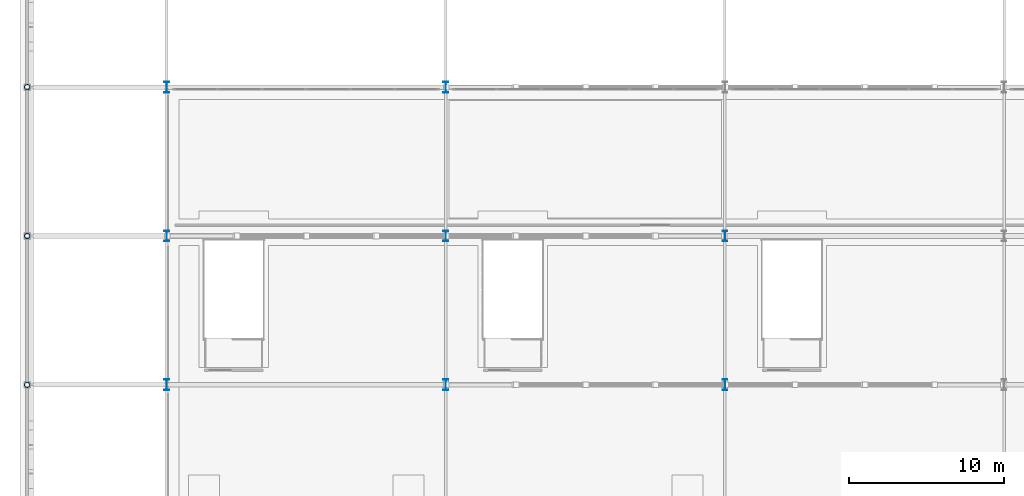
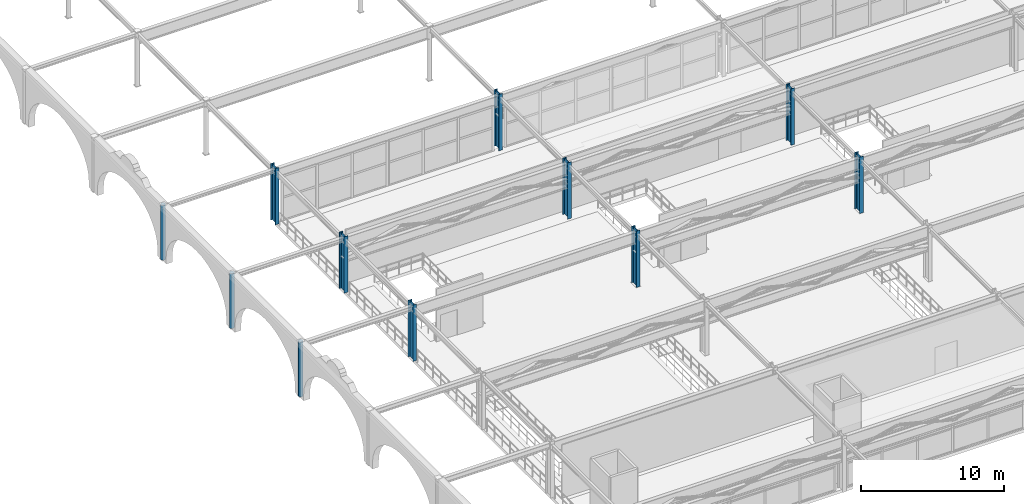
# One storey, part 9 of 125: 11 columns.
"""IFC4 building model written with IfcOpenShell, lengths in metres."""

from ifc_helpers import new_model, si_unit, direction, frame, origin, origin_2d, place, context, subcontext, project, spatial, hollow_circle, i_section, extrude, material, material_profile, profile_set, type_object, element, save


model = new_model("IFC4")

# Units and contexts
model_context = context("Model", 3, precision=1e-05, world=origin(), true_north=direction((0.0, 1.0)))
body_context = subcontext(model_context, "Body", "Model", "MODEL_VIEW")
ifc_project = project(units=[si_unit("LENGTHUNIT", "METRE"), si_unit("AREAUNIT", "SQUARE_METRE"), si_unit("VOLUMEUNIT", "CUBIC_METRE"), si_unit("PLANEANGLEUNIT", "RADIAN"), si_unit("MASSUNIT", "GRAM", prefix="KILO")], contexts=[model_context])

# Site, building, storey
site_placement = place(None, origin())
site = spatial("IfcSite", under=ifc_project, at=site_placement, CompositionType="ELEMENT")
building_placement = place(site_placement, origin())
building = spatial("IfcBuilding", under=site, at=building_placement, Name="Myrtia Square Station", CompositionType="ELEMENT")
storey_placement = place(building_placement, frame((0.0, 0.0, 6.0)))
storey = spatial("IfcBuildingStorey", under=building, at=storey_placement, Name="L01", CompositionType="ELEMENT", Elevation=6.0)

# Columns
ifc_material = material(Name="Steel S355", Category="steel")
ifc_material_profile_1 = material_profile(ifc_material, hollow_circle(Radius=0.177734375, WallThickness=0.02001953125, at=origin_2d()), Name="CHS 355.6x20")
ifc_profile_set_1 = profile_set([ifc_material_profile_1], Name="Steel S355")
column_type_1 = type_object("IfcColumnType", Name="COL-CHS355", PredefinedType="COLUMN", material=ifc_profile_set_1)
for number, where, z_axis, x_axis, name in (
    (1, (0.0, 67.199951171875, 0.0), (0.0, 0.0, 1.0), (1.0, 0.0, 0.0), "Column L01-0021"),
    (2, (0.0, 76.800048828125, 0.0), (0.0, 0.0, 1.0), (1.0, 0.0, 0.0), "Column L01-0024"),
    (3, (0.0, 86.39990234375, 0.0), (0.0, 0.0, 1.0), (1.0, 0.0, 0.0), "Column L01-0027"),
):
    element("IfcColumn", number, at=place(storey_placement, frame(where, z_axis=z_axis, x_axis=x_axis)), inside=storey, type_object=column_type_1, Name=name, PredefinedType="COLUMN", context=body_context, shape_type="SweptSolid", body=[
        extrude(hollow_circle(Radius=0.177734375, WallThickness=0.02001953125, at=origin_2d()), origin(), (0.0, 0.0, 1.0), 4.679931640625),
    ])
ifc_material_profile_2 = material_profile(ifc_material, i_section(OverallWidth=0.300048828125, OverallDepth=0.699951171875, WebThickness=0.01708984375, FlangeThickness=0.031982421875, FilletRadius=0.027099609375, at=origin_2d()), Name="HEB 700")
ifc_profile_set_2 = profile_set([ifc_material_profile_2], Name="Steel S355")
column_type_2 = type_object("IfcColumnType", Name="COL-HEB700", PredefinedType="COLUMN", material=ifc_profile_set_2)
for number, where, z_axis, x_axis, name in (
    (4, (9.0, 67.199951171875, 0.0), (0.0, 0.0, 1.0), (1.0, 0.0, 0.0), "Column L01-0057"),
    (5, (9.0, 76.800048828125, 0.0), (0.0, 0.0, 1.0), (1.0, 0.0, 0.0), "Column L01-0060"),
    (6, (9.0, 86.39990234375, 0.0), (0.0, 0.0, 1.0), (1.0, 0.0, 0.0), "Column L01-0063"),
    (7, (27.0, 67.199951171875, 0.0), (0.0, 0.0, 1.0), (1.0, 0.0, 0.0), "Column L01-0096"),
    (8, (27.0, 76.800048828125, 0.0), (0.0, 0.0, 1.0), (1.0, 0.0, 0.0), "Column L01-0099"),
    (9, (27.0, 86.39990234375, 0.0), (0.0, 0.0, 1.0), (1.0, 0.0, 0.0), "Column L01-0102"),
    (10, (45.0, 67.199951171875, 0.0), (0.0, 0.0, 1.0), (1.0, 0.0, 0.0), "Column L01-0138"),
    (11, (45.0, 76.800048828125, 0.0), (0.0, 0.0, 1.0), (1.0, 0.0, 0.0), "Column L01-0141"),
):
    element("IfcColumn", number, at=place(storey_placement, frame(where, z_axis=z_axis, x_axis=x_axis)), inside=storey, type_object=column_type_2, Name=name, PredefinedType="COLUMN", context=body_context, shape_type="SweptSolid", body=[
        extrude(i_section(OverallWidth=0.300048828125, OverallDepth=0.699951171875, WebThickness=0.01708984375, FlangeThickness=0.031982421875, FilletRadius=0.027099609375, at=origin_2d()), origin(), (0.0, 0.0, 1.0), 4.800048828125),
    ])

save(model, "model.ifc")
